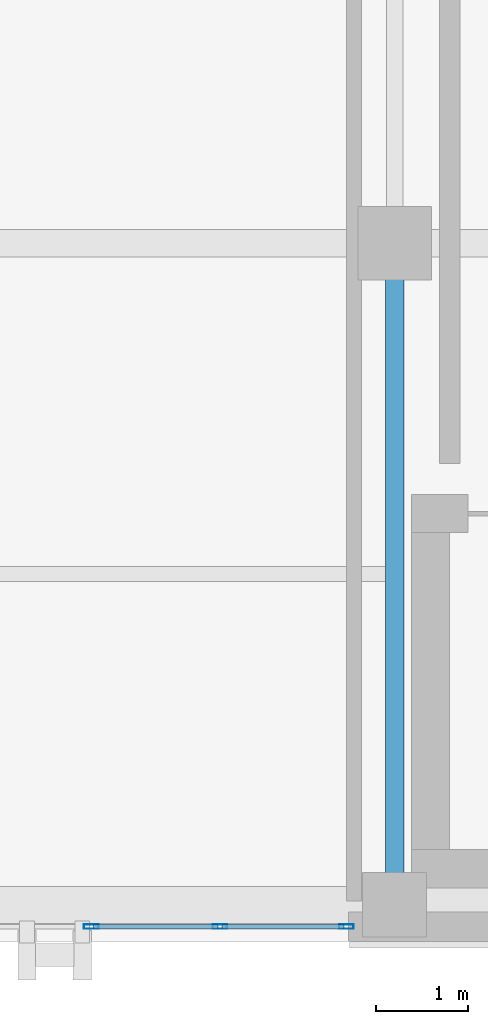
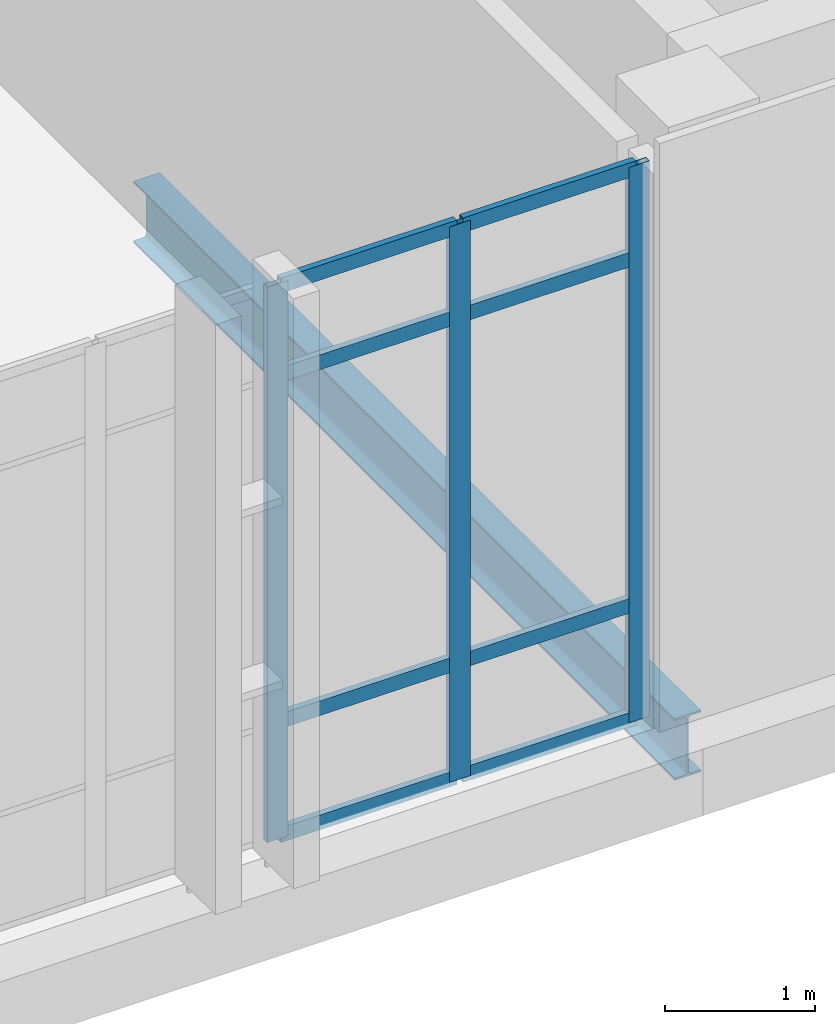
# One storey, part 47 of 189: 11 members, 1 beam, 1 element without a shape of its own.
"""IFC4 building model written with IfcOpenShell, lengths in metres."""

from ifc_helpers import new_model, si_unit, direction, frame, origin, origin_2d, place, context, subcontext, project, spatial, hollow_rectangle, i_section, extrude, material, layer, layer_set, material_profile, profile_set, type_object, element, aggregate, save


model = new_model("IFC4")

# Units and contexts
model_context = context("Model", 3, precision=1e-05, world=origin(), true_north=direction((0.0, 1.0)))
body_context = subcontext(model_context, "Body", "Model", "MODEL_VIEW")
ifc_project = project(units=[si_unit("LENGTHUNIT", "METRE"), si_unit("AREAUNIT", "SQUARE_METRE"), si_unit("VOLUMEUNIT", "CUBIC_METRE"), si_unit("PLANEANGLEUNIT", "RADIAN"), si_unit("MASSUNIT", "GRAM", prefix="KILO")], contexts=[model_context])

# Site, building, storey
site_placement = place(None, origin())
site = spatial("IfcSite", under=ifc_project, at=site_placement, CompositionType="ELEMENT")
building_placement = place(site_placement, origin())
building = spatial("IfcBuilding", under=site, at=building_placement, Name="Qalavern Law Courts", CompositionType="ELEMENT")
storey_placement = place(building_placement, frame((0.0, 0.0, 5.39990234375)))
storey = spatial("IfcBuildingStorey", under=building, at=storey_placement, Name="L01", CompositionType="ELEMENT", Elevation=5.39990234375)

# Curtain wall, members
ifc_material_1 = material(Name="Anodised aluminium and insulated glazing", Category="aluminium")
ifc_layer = layer(ifc_material_1, 0.172119140625)
ifc_layer_set = layer_set([ifc_layer], Name="Anodised aluminium and insulated glazing")
curtain_wall_type = type_object("IfcCurtainWallType", Name="ENV-CW-COURT", PredefinedType="USERDEFINED", material=ifc_layer_set)
curtain_wall_placement = place(storey_placement, origin())
curtain_wall = element("IfcCurtainWall", 1, at=curtain_wall_placement, inside=storey, type_object=curtain_wall_type, Name="V6 unitised curtain wall L01 south 2", ObjectType="UNITISED CURTAIN WALL", PredefinedType="USERDEFINED")
ifc_material_2 = material(Name="Anodised aluminium", Category="aluminium")
ifc_material_profile_1 = material_profile(ifc_material_2, hollow_rectangle(XDim=0.048095703125, YDim=0.159912109375, WallThickness=0.00390625, at=origin_2d()), Name="ALU MULLION 48x160")
ifc_profile_set_1 = profile_set([ifc_material_profile_1], Name="Anodised aluminium")
member_type_1 = type_object("IfcMemberType", Name="ENV-CWM-48x160", PredefinedType="MULLION", material=ifc_profile_set_1)
member_1_placement = place(storey_placement, frame((114.5, 1.16259765625, 0.0), z_axis=(0.0, 0.0, 1.0), x_axis=(0.0, 1.0, 0.0)))
member_1 = element("IfcMember", 2, at=member_1_placement, type_object=member_type_1, Name="CW-03 mullion 4", PredefinedType="MULLION", context=body_context, shape_type="SweptSolid", body=[
    extrude(hollow_rectangle(XDim=0.048095703125, YDim=0.159912109375, WallThickness=0.00390625, at=origin_2d()), origin(), (0.0, 0.0, 1.0), 4.510009765625),
])
member_2_placement = place(storey_placement, frame((115.89990234375, 1.16259765625, 0.0), z_axis=(0.0, 0.0, 1.0), x_axis=(0.0, 1.0, 0.0)))
member_2 = element("IfcMember", 3, at=member_2_placement, type_object=member_type_1, Name="CW-03 mullion 5", PredefinedType="MULLION", context=body_context, shape_type="SweptSolid", body=[
    extrude(hollow_rectangle(XDim=0.048095703125, YDim=0.159912109375, WallThickness=0.00390625, at=origin_2d()), origin(), (0.0, 0.0, 1.0), 4.510009765625),
])
member_3_placement = place(storey_placement, frame((117.27587890625, 1.16259765625, 0.0), z_axis=(0.0, 0.0, 1.0), x_axis=(0.0, 1.0, 0.0)))
member_3 = element("IfcMember", 4, at=member_3_placement, type_object=member_type_1, Name="CW-03 mullion 6", PredefinedType="MULLION", context=body_context, shape_type="SweptSolid", body=[
    extrude(hollow_rectangle(XDim=0.048095703125, YDim=0.159912109375, WallThickness=0.00390625, at=origin_2d()), origin(), (0.0, 0.0, 1.0), 4.510009765625),
])
ifc_material_profile_2 = material_profile(ifc_material_2, hollow_rectangle(XDim=0.048095703125, YDim=0.1201171875, WallThickness=0.00390625, at=origin_2d()), Name="ALU TRANSOM 48x120")
ifc_profile_set_2 = profile_set([ifc_material_profile_2], Name="Anodised aluminium")
member_type_2 = type_object("IfcMemberType", Name="ENV-CWT-48x120", PredefinedType="USERDEFINED", material=ifc_profile_set_2)
member_4_placement = place(storey_placement, frame((114.52392578125, 1.16259765625, 0.024169921875), z_axis=(1.0, 0.0, 0.0), x_axis=(0.0, 1.0, 0.0)))
member_4 = element("IfcMember", 5, at=member_4_placement, type_object=member_type_2, Name="CW-03 transom 4.1", ObjectType="TRANSOM", PredefinedType="USERDEFINED", context=body_context, shape_type="SweptSolid", body=[
    extrude(hollow_rectangle(XDim=0.048095703125, YDim=0.1201171875, WallThickness=0.00390625, at=origin_2d()), origin(), (0.0, 0.0, 1.0), 1.35205078125),
])
member_5_placement = place(storey_placement, frame((114.52392578125, 1.16259765625, 0.9501953125), z_axis=(1.0, 0.0, 0.0), x_axis=(0.0, 1.0, 0.0)))
member_5 = element("IfcMember", 6, at=member_5_placement, type_object=member_type_2, Name="CW-03 transom 4.2", ObjectType="TRANSOM", PredefinedType="USERDEFINED", context=body_context, shape_type="SweptSolid", body=[
    extrude(hollow_rectangle(XDim=0.048095703125, YDim=0.1201171875, WallThickness=0.00390625, at=origin_2d()), origin(), (0.0, 0.0, 1.0), 1.35205078125),
])
member_6_placement = place(storey_placement, frame((114.52392578125, 1.16259765625, 3.760009765625), z_axis=(1.0, 0.0, 0.0), x_axis=(0.0, 1.0, 0.0)))
member_6 = element("IfcMember", 7, at=member_6_placement, type_object=member_type_2, Name="CW-03 transom 4.3", ObjectType="TRANSOM", PredefinedType="USERDEFINED", context=body_context, shape_type="SweptSolid", body=[
    extrude(hollow_rectangle(XDim=0.048095703125, YDim=0.1201171875, WallThickness=0.00390625, at=origin_2d()), origin(), (0.0, 0.0, 1.0), 1.35205078125),
])
member_7_placement = place(storey_placement, frame((114.52392578125, 1.16259765625, 4.486083984375), z_axis=(1.0, 0.0, 0.0), x_axis=(0.0, 1.0, 0.0)))
member_7 = element("IfcMember", 8, at=member_7_placement, type_object=member_type_2, Name="CW-03 transom 4.4", ObjectType="TRANSOM", PredefinedType="USERDEFINED", context=body_context, shape_type="SweptSolid", body=[
    extrude(hollow_rectangle(XDim=0.048095703125, YDim=0.1201171875, WallThickness=0.00390625, at=origin_2d()), origin(), (0.0, 0.0, 1.0), 1.35205078125),
])
member_8_placement = place(storey_placement, frame((115.924072265625, 1.16259765625, 0.024169921875), z_axis=(1.0, 0.0, 0.0), x_axis=(0.0, 1.0, 0.0)))
member_8 = element("IfcMember", 9, at=member_8_placement, type_object=member_type_2, Name="CW-03 transom 5.1", ObjectType="TRANSOM", PredefinedType="USERDEFINED", context=body_context, shape_type="SweptSolid", body=[
    extrude(hollow_rectangle(XDim=0.048095703125, YDim=0.1201171875, WallThickness=0.00390625, at=origin_2d()), origin(), (0.0, 0.0, 1.0), 1.327880859375),
])
member_9_placement = place(storey_placement, frame((115.924072265625, 1.16259765625, 0.9501953125), z_axis=(1.0, 0.0, 0.0), x_axis=(0.0, 1.0, 0.0)))
member_9 = element("IfcMember", 10, at=member_9_placement, type_object=member_type_2, Name="CW-03 transom 5.2", ObjectType="TRANSOM", PredefinedType="USERDEFINED", context=body_context, shape_type="SweptSolid", body=[
    extrude(hollow_rectangle(XDim=0.048095703125, YDim=0.1201171875, WallThickness=0.00390625, at=origin_2d()), origin(), (0.0, 0.0, 1.0), 1.327880859375),
])
member_10_placement = place(storey_placement, frame((115.924072265625, 1.16259765625, 3.760009765625), z_axis=(1.0, 0.0, 0.0), x_axis=(0.0, 1.0, 0.0)))
member_10 = element("IfcMember", 11, at=member_10_placement, type_object=member_type_2, Name="CW-03 transom 5.3", ObjectType="TRANSOM", PredefinedType="USERDEFINED", context=body_context, shape_type="SweptSolid", body=[
    extrude(hollow_rectangle(XDim=0.048095703125, YDim=0.1201171875, WallThickness=0.00390625, at=origin_2d()), origin(), (0.0, 0.0, 1.0), 1.327880859375),
])
member_11_placement = place(storey_placement, frame((115.924072265625, 1.16259765625, 4.486083984375), z_axis=(1.0, 0.0, 0.0), x_axis=(0.0, 1.0, 0.0)))
member_11 = element("IfcMember", 12, at=member_11_placement, type_object=member_type_2, Name="CW-03 transom 5.4", ObjectType="TRANSOM", PredefinedType="USERDEFINED", context=body_context, shape_type="SweptSolid", body=[
    extrude(hollow_rectangle(XDim=0.048095703125, YDim=0.1201171875, WallThickness=0.00390625, at=origin_2d()), origin(), (0.0, 0.0, 1.0), 1.327880859375),
])
aggregate(curtain_wall, [member_1, member_2, member_3, member_4, member_5, member_6, member_7, member_8, member_9, member_10, member_11])

# Beam
ifc_material_3 = material(Name="Steel S355", Category="steel")
ifc_material_profile_3 = material_profile(ifc_material_3, i_section(OverallWidth=0.199951171875, OverallDepth=0.5, WebThickness=0.01025390625, FlangeThickness=0.01611328125, FilletRadius=0.02099609375, at=origin_2d()), Name="IPE 500")
ifc_profile_set_3 = profile_set([ifc_material_profile_3], Name="Steel S355")
beam_type = type_object("IfcBeamType", Name="STR-BM-IPE500", PredefinedType="BEAM", material=ifc_profile_set_3)
beam_placement = place(storey_placement, frame((117.800048828125, 1.39990234375, -0.5498046875), z_axis=(0.0, 1.0, 0.0), x_axis=(-1.0, 0.0, 0.0)))
element("IfcBeam", 13, at=beam_placement, inside=storey, type_object=beam_type, Name="V6 Y-beam 3-1 L01", PredefinedType="BEAM", context=body_context, shape_type="SweptSolid", body=[
    extrude(i_section(OverallWidth=0.199951171875, OverallDepth=0.5, WebThickness=0.01025390625, FlangeThickness=0.01611328125, FilletRadius=0.02099609375, at=origin_2d()), origin(), (0.0, 0.0, 1.0), 7.2001953125),
])

save(model, "model.ifc")
